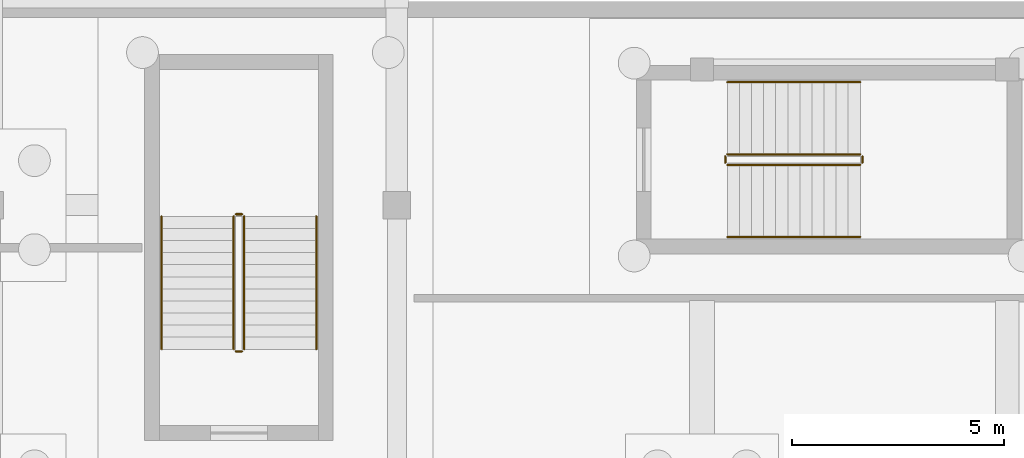
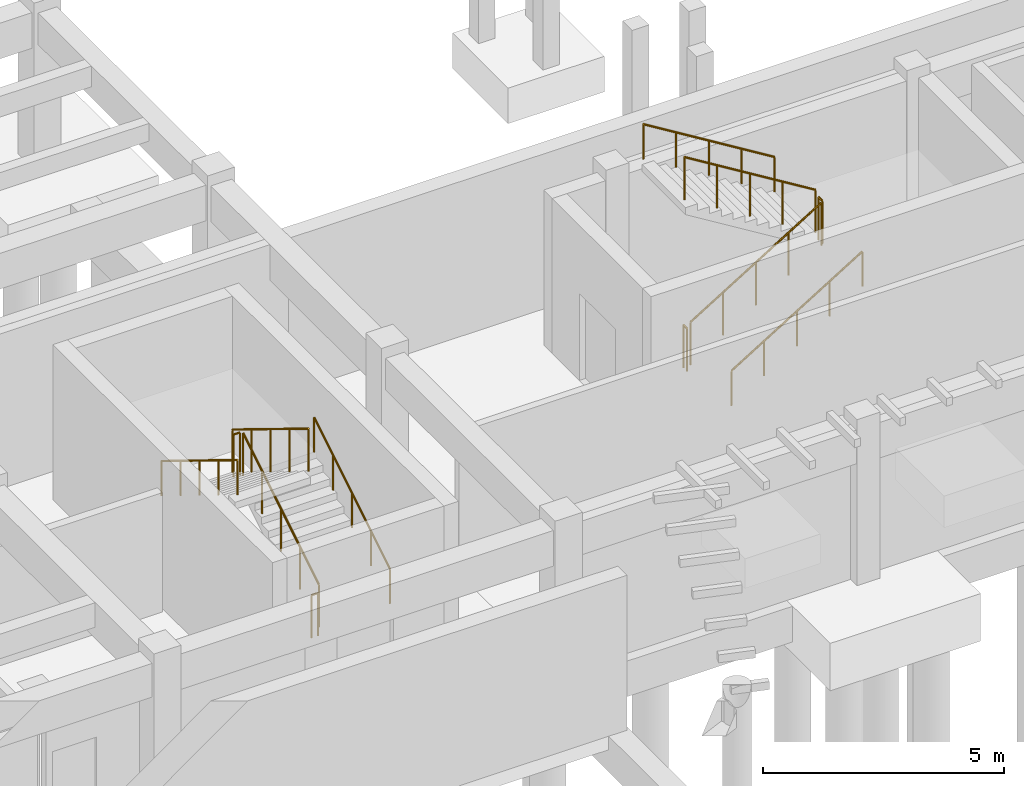
# One storey, part 26 of 31: 12 railings.
"""IFC4 building model written with IfcOpenShell, lengths in metres."""

from ifc_helpers import new_model, si_unit, direction, frame, origin, origin_2d, place, context, subcontext, project, spatial, circle, extrude, material, type_object, element, save


model = new_model("IFC4")

# Units and contexts
model_context = context("Model", 3, precision=1e-05, world=origin(), true_north=direction((0.0, 1.0)))
body_context = subcontext(model_context, "Body", "Model", "MODEL_VIEW")
ifc_project = project(units=[si_unit("LENGTHUNIT", "METRE"), si_unit("AREAUNIT", "SQUARE_METRE"), si_unit("VOLUMEUNIT", "CUBIC_METRE"), si_unit("PLANEANGLEUNIT", "RADIAN"), si_unit("MASSUNIT", "GRAM", prefix="KILO")], contexts=[model_context])

# Site, building, storey
site_placement = place(None, origin())
site = spatial("IfcSite", under=ifc_project, at=site_placement, CompositionType="ELEMENT")
building_placement = place(site_placement, origin())
building = spatial("IfcBuilding", under=site, at=building_placement, Name="Brisavento Harbour Community Centre", CompositionType="ELEMENT")
storey_placement = place(building_placement, frame((0.0, 0.0, -4.199951171875)))
storey = spatial("IfcBuildingStorey", under=building, at=storey_placement, Name="B1", CompositionType="ELEMENT", Elevation=-4.199951171875)

# Railings
ifc_material = material(Name="Stainless steel 1.4401", Category="steel")
railing_type_1 = type_object("IfcRailingType", Name="RL-ST-GUARD", PredefinedType="GUARDRAIL", material=ifc_material)
railing_1_placement = place(storey_placement, frame((46.800048828125, 18.199951171875, 0.175048828125)))
element("IfcRailing", 1, at=railing_1_placement, inside=storey, type_object=railing_type_1, Name="B1 ST-02 stair guard 1", PredefinedType="GUARDRAIL", context=body_context, shape_type="SweptSolid", body=[
    extrude(circle(Radius=0.02392578125, at=origin_2d()), frame((0.0, 0.0, 1.076171875), z_axis=(0.0, 0.852195625947, 0.523223293744), x_axis=(-1.0, 0.0, 0.0)), (0.0, 0.0, 1.0), 3.6787109375),
    extrude(circle(Radius=0.02099609375, at=origin_2d()), origin(), (0.0, 0.0, 1.0), 1.052001953125),
    extrude(circle(Radius=0.02099609375, at=origin_2d()), frame((0.0, 0.78369140625, 0.481201171875)), (0.0, 0.0, 1.0), 1.052001953125),
    extrude(circle(Radius=0.02099609375, at=origin_2d()), frame((0.0, 1.5673828125, 0.96240234375)), (0.0, 0.0, 1.0), 1.052001953125),
    extrude(circle(Radius=0.02099609375, at=origin_2d()), frame((0.0, 2.351318359375, 1.443603515625)), (0.0, 0.0, 1.0), 1.052001953125),
    extrude(circle(Radius=0.02099609375, at=origin_2d()), frame((0.0, 3.135009765625, 1.9248046875)), (0.0, 0.0, 1.0), 1.052001953125),
])
railing_2_placement = place(storey_placement, frame((46.75, 21.385009765625, 2.099853515625)))
element("IfcRailing", 2, at=railing_2_placement, inside=storey, type_object=railing_type_1, Name="B1 ST-02 stair guard 2", PredefinedType="GUARDRAIL", context=body_context, shape_type="SweptSolid", body=[
    extrude(circle(Radius=0.02392578125, at=origin_2d()), frame((0.0, 0.0, 1.076171875), z_axis=(-1.0, 0.0, 0.0), x_axis=(0.0, -1.0, 0.0)), (0.0, 0.0, 1.0), 0.14990234375),
    extrude(circle(Radius=0.02099609375, at=origin_2d()), origin(), (0.0, 0.0, 1.0), 1.052001953125),
    extrude(circle(Radius=0.02099609375, at=origin_2d()), frame((-0.14990234375, 0.0, 0.0)), (0.0, 0.0, 1.0), 1.052001953125),
])
railing_3_placement = place(storey_placement, frame((46.550048828125, 21.3349609375, 2.27490234375)))
element("IfcRailing", 3, at=railing_3_placement, inside=storey, type_object=railing_type_1, Name="B1 ST-02 stair guard 3", PredefinedType="GUARDRAIL", context=body_context, shape_type="SweptSolid", body=[
    extrude(circle(Radius=0.02392578125, at=origin_2d()), frame((0.0, 0.0, 1.076171875), z_axis=(0.0, -0.852166034122, 0.523271488128), x_axis=(1.0, 0.0, 0.0)), (0.0, 0.0, 1.0), 3.678955078125),
    extrude(circle(Radius=0.02099609375, at=origin_2d()), origin(), (0.0, 0.0, 1.0), 1.052001953125),
    extrude(circle(Radius=0.02099609375, at=origin_2d()), frame((0.0, -0.78369140625, 0.481201171875)), (0.0, 0.0, 1.0), 1.052001953125),
    extrude(circle(Radius=0.02099609375, at=origin_2d()), frame((0.0, -1.5673828125, 0.96240234375)), (0.0, 0.0, 1.0), 1.052001953125),
    extrude(circle(Radius=0.02099609375, at=origin_2d()), frame((0.0, -2.351318359375, 1.44384765625)), (0.0, 0.0, 1.0), 1.052001953125),
    extrude(circle(Radius=0.02099609375, at=origin_2d()), frame((0.0, -3.135009765625, 1.925048828125)), (0.0, 0.0, 1.0), 1.052001953125),
])
railing_4_placement = place(storey_placement, frame((46.75, 18.14990234375, 0.0)))
element("IfcRailing", 4, at=railing_4_placement, inside=storey, type_object=railing_type_1, Name="B1 ST-02 stair guard 4", PredefinedType="GUARDRAIL", context=body_context, shape_type="SweptSolid", body=[
    extrude(circle(Radius=0.02392578125, at=origin_2d()), frame((0.0, 0.0, 1.076171875), z_axis=(-1.0, 0.0, 0.0), x_axis=(0.0, -1.0, 0.0)), (0.0, 0.0, 1.0), 0.14990234375),
    extrude(circle(Radius=0.02099609375, at=origin_2d()), origin(), (0.0, 0.0, 1.0), 1.052001953125),
    extrude(circle(Radius=0.02099609375, at=origin_2d()), frame((-0.14990234375, 0.0, 0.0)), (0.0, 0.0, 1.0), 1.052001953125),
])
railing_5_placement = place(storey_placement, frame((58.199951171875, 22.550048828125, 0.175048828125)))
element("IfcRailing", 5, at=railing_5_placement, inside=storey, type_object=railing_type_1, Name="B1 ST-03 stair guard 1", PredefinedType="GUARDRAIL", context=body_context, shape_type="SweptSolid", body=[
    extrude(circle(Radius=0.02392578125, at=origin_2d()), frame((0.0, 0.0, 1.076171875), z_axis=(0.852195625947, 0.0, 0.523223293744), x_axis=(0.0, 1.0, 0.0)), (0.0, 0.0, 1.0), 3.6787109375),
    extrude(circle(Radius=0.02099609375, at=origin_2d()), origin(), (0.0, 0.0, 1.0), 1.052001953125),
    extrude(circle(Radius=0.02099609375, at=origin_2d()), frame((0.78369140625, 0.0, 0.481201171875)), (0.0, 0.0, 1.0), 1.052001953125),
    extrude(circle(Radius=0.02099609375, at=origin_2d()), frame((1.5673828125, 0.0, 0.96240234375)), (0.0, 0.0, 1.0), 1.052001953125),
    extrude(circle(Radius=0.02099609375, at=origin_2d()), frame((2.351318359375, 0.0, 1.443603515625)), (0.0, 0.0, 1.0), 1.052001953125),
    extrude(circle(Radius=0.02099609375, at=origin_2d()), frame((3.135009765625, 0.0, 1.9248046875)), (0.0, 0.0, 1.0), 1.052001953125),
])
railing_6_placement = place(storey_placement, frame((61.385009765625, 22.60009765625, 2.099853515625)))
element("IfcRailing", 6, at=railing_6_placement, inside=storey, type_object=railing_type_1, Name="B1 ST-03 stair guard 2", PredefinedType="GUARDRAIL", context=body_context, shape_type="SweptSolid", body=[
    extrude(circle(Radius=0.02392578125, at=origin_2d()), frame((0.0, 0.0, 1.076171875), z_axis=(0.0, 1.0, 0.0), x_axis=(-1.0, 0.0, 0.0)), (0.0, 0.0, 1.0), 0.14990234375),
    extrude(circle(Radius=0.02099609375, at=origin_2d()), origin(), (0.0, 0.0, 1.0), 1.052001953125),
    extrude(circle(Radius=0.02099609375, at=origin_2d()), frame((0.0, 0.14990234375, 0.0)), (0.0, 0.0, 1.0), 1.052001953125),
])
railing_7_placement = place(storey_placement, frame((61.3349609375, 22.800048828125, 2.27490234375)))
element("IfcRailing", 7, at=railing_7_placement, inside=storey, type_object=railing_type_1, Name="B1 ST-03 stair guard 3", PredefinedType="GUARDRAIL", context=body_context, shape_type="SweptSolid", body=[
    extrude(circle(Radius=0.02392578125, at=origin_2d()), frame((0.0, 0.0, 1.076171875), z_axis=(-0.852166034122, 0.0, 0.523271488128), x_axis=(0.0, -1.0, 0.0)), (0.0, 0.0, 1.0), 3.678955078125),
    extrude(circle(Radius=0.02099609375, at=origin_2d()), origin(), (0.0, 0.0, 1.0), 1.052001953125),
    extrude(circle(Radius=0.02099609375, at=origin_2d()), frame((-0.78369140625, 0.0, 0.481201171875)), (0.0, 0.0, 1.0), 1.052001953125),
    extrude(circle(Radius=0.02099609375, at=origin_2d()), frame((-1.5673828125, 0.0, 0.96240234375)), (0.0, 0.0, 1.0), 1.052001953125),
    extrude(circle(Radius=0.02099609375, at=origin_2d()), frame((-2.351318359375, 0.0, 1.44384765625)), (0.0, 0.0, 1.0), 1.052001953125),
    extrude(circle(Radius=0.02099609375, at=origin_2d()), frame((-3.135009765625, 0.0, 1.925048828125)), (0.0, 0.0, 1.0), 1.052001953125),
])
railing_8_placement = place(storey_placement, frame((58.14990234375, 22.60009765625, 0.0)))
element("IfcRailing", 8, at=railing_8_placement, inside=storey, type_object=railing_type_1, Name="B1 ST-03 stair guard 4", PredefinedType="GUARDRAIL", context=body_context, shape_type="SweptSolid", body=[
    extrude(circle(Radius=0.02392578125, at=origin_2d()), frame((0.0, 0.0, 1.076171875), z_axis=(0.0, 1.0, 0.0), x_axis=(-1.0, 0.0, 0.0)), (0.0, 0.0, 1.0), 0.14990234375),
    extrude(circle(Radius=0.02099609375, at=origin_2d()), origin(), (0.0, 0.0, 1.0), 1.052001953125),
    extrude(circle(Radius=0.02099609375, at=origin_2d()), frame((0.0, 0.14990234375, 0.0)), (0.0, 0.0, 1.0), 1.052001953125),
])
railing_type_2 = type_object("IfcRailingType", Name="RL-ST-HAND", PredefinedType="HANDRAIL", material=ifc_material)
railing_9_placement = place(storey_placement, frame((48.5, 18.199951171875, 0.175048828125)))
element("IfcRailing", 9, at=railing_9_placement, inside=storey, type_object=railing_type_2, Name="B1 ST-02 stair handrail 1", PredefinedType="HANDRAIL", context=body_context, shape_type="SweptSolid", body=[
    extrude(circle(Radius=0.02392578125, at=origin_2d()), frame((0.0, 0.0, 0.8759765625), z_axis=(0.0, 0.852195625947, 0.523223293744), x_axis=(-1.0, 0.0, 0.0)), (0.0, 0.0, 1.0), 3.6787109375),
    extrude(circle(Radius=0.02099609375, at=origin_2d()), origin(), (0.0, 0.0, 1.0), 0.851806640625),
    extrude(circle(Radius=0.02099609375, at=origin_2d()), frame((0.0, 0.78369140625, 0.481201171875)), (0.0, 0.0, 1.0), 0.851806640625),
    extrude(circle(Radius=0.02099609375, at=origin_2d()), frame((0.0, 1.5673828125, 0.96240234375)), (0.0, 0.0, 1.0), 0.851806640625),
    extrude(circle(Radius=0.02099609375, at=origin_2d()), frame((0.0, 2.351318359375, 1.443603515625)), (0.0, 0.0, 1.0), 0.851806640625),
    extrude(circle(Radius=0.02099609375, at=origin_2d()), frame((0.0, 3.135009765625, 1.9248046875)), (0.0, 0.0, 1.0), 0.851806640625),
])
railing_10_placement = place(storey_placement, frame((44.85009765625, 21.3349609375, 2.27490234375)))
element("IfcRailing", 10, at=railing_10_placement, inside=storey, type_object=railing_type_2, Name="B1 ST-02 stair handrail 2", PredefinedType="HANDRAIL", context=body_context, shape_type="SweptSolid", body=[
    extrude(circle(Radius=0.02392578125, at=origin_2d()), frame((0.0, 0.0, 0.8759765625), z_axis=(0.0, -0.852166034122, 0.523271488128), x_axis=(1.0, 0.0, 0.0)), (0.0, 0.0, 1.0), 3.678955078125),
    extrude(circle(Radius=0.02099609375, at=origin_2d()), origin(), (0.0, 0.0, 1.0), 0.851806640625),
    extrude(circle(Radius=0.02099609375, at=origin_2d()), frame((0.0, -0.78369140625, 0.481201171875)), (0.0, 0.0, 1.0), 0.851806640625),
    extrude(circle(Radius=0.02099609375, at=origin_2d()), frame((0.0, -1.5673828125, 0.96240234375)), (0.0, 0.0, 1.0), 0.851806640625),
    extrude(circle(Radius=0.02099609375, at=origin_2d()), frame((0.0, -2.351318359375, 1.44384765625)), (0.0, 0.0, 1.0), 0.851806640625),
    extrude(circle(Radius=0.02099609375, at=origin_2d()), frame((0.0, -3.135009765625, 1.925048828125)), (0.0, 0.0, 1.0), 0.851806640625),
])
railing_11_placement = place(storey_placement, frame((58.199951171875, 20.85009765625, 0.175048828125)))
element("IfcRailing", 11, at=railing_11_placement, inside=storey, type_object=railing_type_2, Name="B1 ST-03 stair handrail 1", PredefinedType="HANDRAIL", context=body_context, shape_type="SweptSolid", body=[
    extrude(circle(Radius=0.02392578125, at=origin_2d()), frame((0.0, 0.0, 0.8759765625), z_axis=(0.852195625947, 0.0, 0.523223293744), x_axis=(0.0, 1.0, 0.0)), (0.0, 0.0, 1.0), 3.6787109375),
    extrude(circle(Radius=0.02099609375, at=origin_2d()), origin(), (0.0, 0.0, 1.0), 0.851806640625),
    extrude(circle(Radius=0.02099609375, at=origin_2d()), frame((0.78369140625, 0.0, 0.481201171875)), (0.0, 0.0, 1.0), 0.851806640625),
    extrude(circle(Radius=0.02099609375, at=origin_2d()), frame((1.5673828125, 0.0, 0.96240234375)), (0.0, 0.0, 1.0), 0.851806640625),
    extrude(circle(Radius=0.02099609375, at=origin_2d()), frame((2.351318359375, 0.0, 1.443603515625)), (0.0, 0.0, 1.0), 0.851806640625),
    extrude(circle(Radius=0.02099609375, at=origin_2d()), frame((3.135009765625, 0.0, 1.9248046875)), (0.0, 0.0, 1.0), 0.851806640625),
])
railing_12_placement = place(storey_placement, frame((61.3349609375, 24.5, 2.27490234375)))
element("IfcRailing", 12, at=railing_12_placement, inside=storey, type_object=railing_type_2, Name="B1 ST-03 stair handrail 2", PredefinedType="HANDRAIL", context=body_context, shape_type="SweptSolid", body=[
    extrude(circle(Radius=0.02392578125, at=origin_2d()), frame((0.0, 0.0, 0.8759765625), z_axis=(-0.852166034122, 0.0, 0.523271488128), x_axis=(0.0, -1.0, 0.0)), (0.0, 0.0, 1.0), 3.678955078125),
    extrude(circle(Radius=0.02099609375, at=origin_2d()), origin(), (0.0, 0.0, 1.0), 0.851806640625),
    extrude(circle(Radius=0.02099609375, at=origin_2d()), frame((-0.78369140625, 0.0, 0.481201171875)), (0.0, 0.0, 1.0), 0.851806640625),
    extrude(circle(Radius=0.02099609375, at=origin_2d()), frame((-1.5673828125, 0.0, 0.96240234375)), (0.0, 0.0, 1.0), 0.851806640625),
    extrude(circle(Radius=0.02099609375, at=origin_2d()), frame((-2.351318359375, 0.0, 1.44384765625)), (0.0, 0.0, 1.0), 0.851806640625),
    extrude(circle(Radius=0.02099609375, at=origin_2d()), frame((-3.135009765625, 0.0, 1.925048828125)), (0.0, 0.0, 1.0), 0.851806640625),
])

save(model, "model.ifc")
